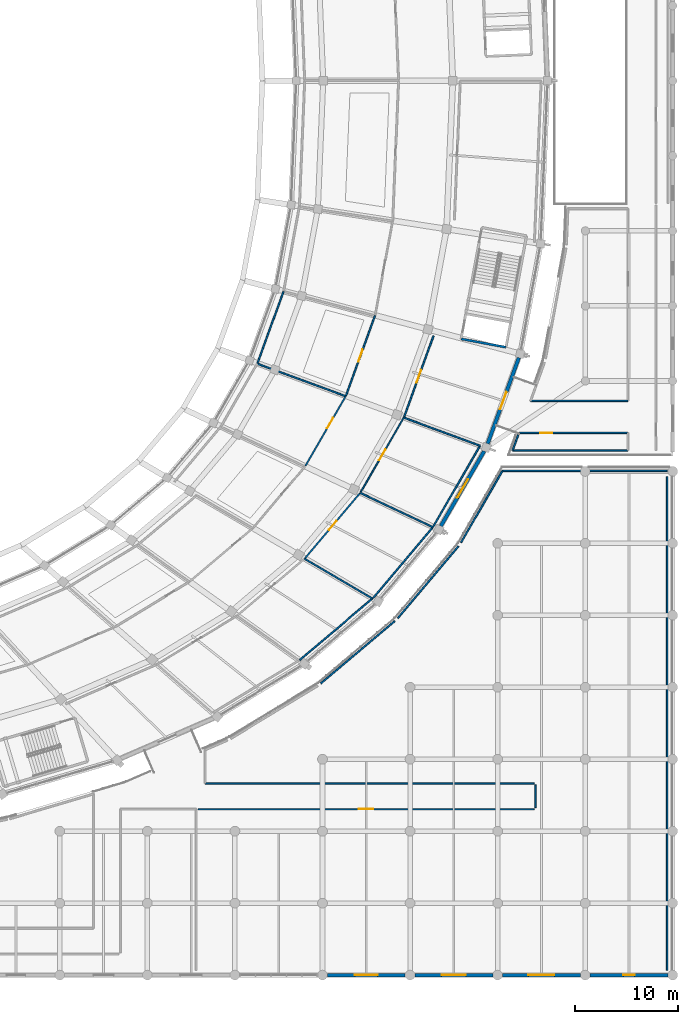
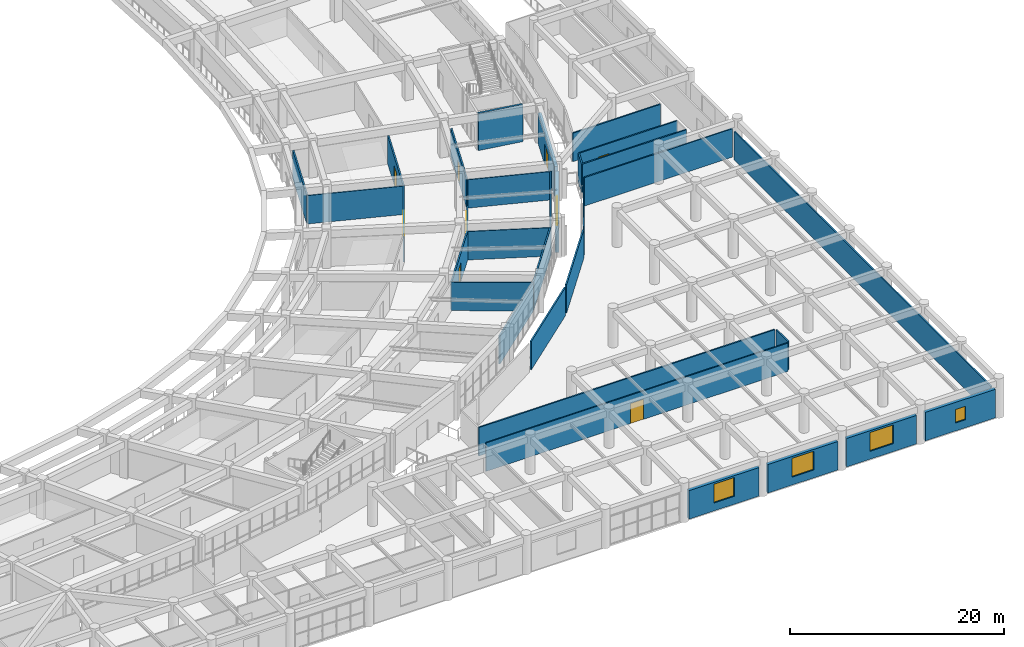
# One storey, part 102 of 145: 32 walls, 8 doors, 5 windows, 13 openings.
"""IFC4 building model written with IfcOpenShell, lengths in metres."""

from ifc_helpers import new_model, si_unit, direction, frame, frame_2d, origin, place, context, subcontext, project, spatial, rectangle, extrude, material, layer, layer_set, type_object, element, fill, save


model = new_model("IFC4")

# Units and contexts
model_context = context("Model", 3, precision=1e-05, world=origin(), true_north=direction((0.0, 1.0)))
body_context = subcontext(model_context, "Body", "Model", "MODEL_VIEW")
ifc_project = project(units=[si_unit("LENGTHUNIT", "METRE"), si_unit("AREAUNIT", "SQUARE_METRE"), si_unit("VOLUMEUNIT", "CUBIC_METRE"), si_unit("PLANEANGLEUNIT", "RADIAN"), si_unit("MASSUNIT", "GRAM", prefix="KILO")], contexts=[model_context])

# Site, building, storey
site_placement = place(None, origin())
site = spatial("IfcSite", under=ifc_project, at=site_placement, CompositionType="ELEMENT")
building_placement = place(site_placement, origin())
building = spatial("IfcBuilding", under=site, at=building_placement, Name="Mphavela Belvedere Stadium", CompositionType="ELEMENT")
storey_placement = place(building_placement, frame((0.0, 0.0, 10.199951171875)))
storey = spatial("IfcBuildingStorey", under=building, at=storey_placement, Name="L02", CompositionType="ELEMENT", Elevation=10.199951171875)

# Wall
ifc_material_1 = material(Name="Concrete C40/50", Category="concrete")
ifc_layer_1 = layer(ifc_material_1, 0.219970703125)
ifc_layer_set_1 = layer_set([ifc_layer_1], Name="Concrete C40/50")
wall_type_1 = type_object("IfcWallType", Name="WAL-CORE-SHEAR-220", PredefinedType="SHEAR", material=ifc_layer_set_1)
wall_1_placement = place(storey_placement, frame((209.424072265625, 61.88525390625, 0.0), z_axis=(0.0, 0.0, 1.0), x_axis=(0.983189729951, -0.18258684213, 0.0)))
element("IfcWall", 1, at=wall_1_placement, inside=storey, type_object=wall_type_1, Name="Core C12 shear wall L02 right", PredefinedType="SHEAR", context=body_context, shape_type="SweptSolid", body=[
    extrude(rectangle(XDim=4.409912109375, YDim=0.219970703125, at=frame_2d((2.205078125, 0.0))), origin(), (0.0, 0.0, 1.0), 4.25),
])

# Wall, opening, window
ifc_material_2 = material(Name="Honed ashlar limestone masonry", Category="masonry")
ifc_layer_2 = layer(ifc_material_2, 0.35009765625)
ifc_layer_set_2 = layer_set([ifc_layer_2], Name="Honed ashlar limestone masonry")
wall_type_2 = type_object("IfcWallType", Name="WAL-EXT-ASHLAR-350", PredefinedType="STANDARD", material=ifc_layer_set_2)
wall_2_placement = place(storey_placement, frame((207.441650390625, 43.68310546875, 0.0), z_axis=(0.0, 0.0, 1.0), x_axis=(0.500572209627, 0.865694786255, 0.0)))
wall_2 = element("IfcWall", 2, at=wall_2_placement, inside=storey, type_object=wall_type_2, Name="Classical ashlar facade wall L02-45", PredefinedType="STANDARD", context=body_context, shape_type="SweptSolid", body=[
    extrude(rectangle(XDim=8.421142578125, YDim=0.35009765625, at=frame_2d((4.21044921875, 0.0))), origin(), (0.0, 0.0, 1.0), 3.420166015625),
])
opening_1_placement = place(wall_2_placement, frame((3.17041015625, 0.0, 0.89990234375)))
opening_1 = element("IfcOpeningElement", 3, at=opening_1_placement, cuts=wall_2, Name="Opening W-030", PredefinedType="OPENING", context=body_context, shape_type="SweptSolid", body=[
    extrude(rectangle(XDim=2.080078125, YDim=1.949951171875, at=frame_2d((1.0400390625, 0.97509765625))), frame((0.0, 0.18505859375, 0.0), z_axis=(0.0, -1.0, 0.0), x_axis=(1.0, 0.0, 0.0)), (0.0, 0.0, 1.0), 0.3701171875),
])
ifc_material_3 = material(Name="Bronze-anodised thermally broken aluminium window", Category="aluminium")
window_type_1 = type_object("IfcWindowType", Name="WIN-EXT-30", PartitioningType="SINGLE_PANEL", PredefinedType="WINDOW", material=ifc_material_3)
window_1_placement = place(opening_1_placement, origin())
window_1 = element("IfcWindow", 4, at=window_1_placement, inside=storey, type_object=window_type_1, Name="Belvedere gallery window W-030", OverallHeight=1.949951171875, OverallWidth=2.080078125, PartitioningType="SINGLE_PANEL", PredefinedType="WINDOW", context=body_context, shape_type="SweptSolid", body=[
    extrude(rectangle(XDim=2.080078125, YDim=1.949951171875, at=frame_2d((1.0400390625, 0.97509765625))), frame((0.0, 0.030029296875, 0.0), z_axis=(0.0, -1.0, 0.0), x_axis=(1.0, 0.0, 0.0)), (0.0, 0.0, 1.0), 0.06005859375),
])
fill(opening_1, window_1)

# Wall, opening, door
wall_3_placement = place(storey_placement, frame((215.02880859375, 60.0634765625, 0.0), z_axis=(0.0, 0.0, 1.0), x_axis=(-0.34103858998, -0.940049296657, 0.0)))
wall_3 = element("IfcWall", 5, at=wall_3_placement, inside=storey, type_object=wall_type_2, Name="Classical link portal wall L02-46", PredefinedType="STANDARD", context=body_context, shape_type="SweptSolid", body=[
    extrude(rectangle(XDim=8.905517578125, YDim=0.35009765625, at=frame_2d((4.45263671875, 0.0))), origin(), (0.0, 0.0, 1.0), 3.420166015625),
])
opening_2_placement = place(wall_3_placement, frame((3.552734375, 0.0, 0.0)))
opening_2 = element("IfcOpeningElement", 6, at=opening_2_placement, cuts=wall_3, Name="Opening ID-9245", PredefinedType="OPENING", context=body_context, shape_type="SweptSolid", body=[
    extrude(rectangle(XDim=1.800048828125, YDim=2.39990234375, at=frame_2d((0.89990234375, 1.199951171875))), frame((0.0, 0.18505859375, 0.0), z_axis=(0.0, -1.0, 0.0), x_axis=(1.0, 0.0, 0.0)), (0.0, 0.0, 1.0), 0.3701171875),
])
ifc_material_4 = material(Name="Glazed bronze-anodised steel exit doorset", Category="steel")
door_type_1 = type_object("IfcDoorType", Name="DR-EXT-01", OperationType="NOTDEFINED", PredefinedType="DOOR", material=ifc_material_4)
door_1_placement = place(opening_2_placement, origin())
door_1 = element("IfcDoor", 7, at=door_1_placement, inside=storey, type_object=door_type_1, Name="Wing promenade link doorset L02-46", OperationType="DOUBLE_DOOR_SINGLE_SWING", OverallHeight=2.39990234375, OverallWidth=1.800048828125, PredefinedType="DOOR", context=body_context, shape_type="SweptSolid", body=[
    extrude(rectangle(XDim=1.800048828125, YDim=2.39990234375, at=frame_2d((0.89990234375, 1.199951171875))), frame((0.0, 0.02490234375, 0.0), z_axis=(0.0, -1.0, 0.0), x_axis=(1.0, 0.0, 0.0)), (0.0, 0.0, 1.0), 0.050048828125),
])
fill(opening_2, door_1)

# Wall, opening, window
wall_4_placement = place(storey_placement, frame((203.970947265625, 0.0, 0.0), z_axis=(0.0, 0.0, 1.0), x_axis=(-1.0, 0.0, 0.0)))
wall_4 = element("IfcWall", 8, at=wall_4_placement, inside=storey, type_object=wall_type_2, Name="South Axial Triumphal Peristyle Portico outer facade bay L02-24", PredefinedType="STANDARD", context=body_context, shape_type="SweptSolid", body=[
    extrude(rectangle(XDim=7.572021484375, YDim=0.35009765625, at=frame_2d((3.7861328125, 0.0))), origin(), (0.0, 0.0, 1.0), 3.260009765625),
])
opening_3_placement = place(wall_4_placement, frame((2.676025390625, 0.0, 0.89990234375)))
opening_3 = element("IfcOpeningElement", 9, at=opening_3_placement, cuts=wall_4, Name="Opening W-086", PredefinedType="OPENING", context=body_context, shape_type="SweptSolid", body=[
    extrude(rectangle(XDim=2.219970703125, YDim=2.14990234375, at=frame_2d((1.10986328125, 1.074951171875))), frame((0.0, 0.18505859375, 0.0), z_axis=(0.0, -1.0, 0.0), x_axis=(1.0, 0.0, 0.0)), (0.0, 0.0, 1.0), 0.3701171875),
])
ifc_material_5 = material(Name="Bronze-anodised thermally broken aluminium window", Category="aluminium")
window_type_2 = type_object("IfcWindowType", Name="WIN-EXT-42", PartitioningType="SINGLE_PANEL", PredefinedType="WINDOW", material=ifc_material_5)
window_2_placement = place(opening_3_placement, origin())
window_2 = element("IfcWindow", 10, at=window_2_placement, inside=storey, type_object=window_type_2, Name="South Axial Triumphal Peristyle Portico classical window W-086", OverallHeight=2.14990234375, OverallWidth=2.219970703125, PartitioningType="SINGLE_PANEL", PredefinedType="WINDOW", context=body_context, shape_type="SweptSolid", body=[
    extrude(rectangle(XDim=2.219970703125, YDim=2.14990234375, at=frame_2d((1.10986328125, 1.074951171875))), frame((0.0, 0.030029296875, 0.0), z_axis=(0.0, -1.0, 0.0), x_axis=(1.0, 0.0, 0.0)), (0.0, 0.0, 1.0), 0.06005859375),
])
fill(opening_3, window_2)

wall_5_placement = place(storey_placement, frame((212.489990234375, 0.0, 0.0), z_axis=(0.0, 0.0, 1.0), x_axis=(-1.0, 0.0, 0.0)))
wall_5 = element("IfcWall", 11, at=wall_5_placement, inside=storey, type_object=wall_type_2, Name="South Axial Triumphal Peristyle Portico outer facade bay L02-25", PredefinedType="STANDARD", context=body_context, shape_type="SweptSolid", body=[
    extrude(rectangle(XDim=7.572998046875, YDim=0.35009765625, at=frame_2d((3.78662109375, 0.0))), origin(), (0.0, 0.0, 1.0), 3.260009765625),
])
opening_4_placement = place(wall_5_placement, frame((2.6064453125, 0.0, 0.89990234375)))
opening_4 = element("IfcOpeningElement", 12, at=opening_4_placement, cuts=wall_5, Name="Opening W-087", PredefinedType="OPENING", context=body_context, shape_type="SweptSolid", body=[
    extrude(rectangle(XDim=2.360107421875, YDim=2.14990234375, at=frame_2d((1.18017578125, 1.074951171875))), frame((0.0, 0.18505859375, 0.0), z_axis=(0.0, -1.0, 0.0), x_axis=(1.0, 0.0, 0.0)), (0.0, 0.0, 1.0), 0.3701171875),
])
ifc_material_6 = material(Name="Bronze-anodised thermally broken aluminium window", Category="aluminium")
window_type_3 = type_object("IfcWindowType", Name="WIN-EXT-43", PartitioningType="SINGLE_PANEL", PredefinedType="WINDOW", material=ifc_material_6)
window_3_placement = place(opening_4_placement, origin())
window_3 = element("IfcWindow", 13, at=window_3_placement, inside=storey, type_object=window_type_3, Name="South Axial Triumphal Peristyle Portico classical window W-087", OverallHeight=2.14990234375, OverallWidth=2.360107421875, PartitioningType="SINGLE_PANEL", PredefinedType="WINDOW", context=body_context, shape_type="SweptSolid", body=[
    extrude(rectangle(XDim=2.360107421875, YDim=2.14990234375, at=frame_2d((1.18017578125, 1.074951171875))), frame((0.0, 0.030029296875, 0.0), z_axis=(0.0, -1.0, 0.0), x_axis=(1.0, 0.0, 0.0)), (0.0, 0.0, 1.0), 0.06005859375),
])
fill(opening_4, window_3)

wall_6_placement = place(storey_placement, frame((221.008056640625, 0.0, 0.0), z_axis=(0.0, 0.0, 1.0), x_axis=(-1.0, 0.0, 0.0)))
wall_6 = element("IfcWall", 14, at=wall_6_placement, inside=storey, type_object=wall_type_2, Name="South Axial Triumphal Peristyle Portico outer facade bay L02-26", PredefinedType="STANDARD", context=body_context, shape_type="SweptSolid", body=[
    extrude(rectangle(XDim=7.572021484375, YDim=0.35009765625, at=frame_2d((3.7861328125, 0.0))), origin(), (0.0, 0.0, 1.0), 3.260009765625),
])
opening_5_placement = place(wall_6_placement, frame((2.52587890625, 0.0, 0.89990234375)))
opening_5 = element("IfcOpeningElement", 15, at=opening_5_placement, cuts=wall_6, Name="Opening W-088", PredefinedType="OPENING", context=body_context, shape_type="SweptSolid", body=[
    extrude(rectangle(XDim=2.52001953125, YDim=2.14990234375, at=frame_2d((1.260009765625, 1.074951171875))), frame((0.0, 0.18505859375, 0.0), z_axis=(0.0, -1.0, 0.0), x_axis=(1.0, 0.0, 0.0)), (0.0, 0.0, 1.0), 0.3701171875),
])
ifc_material_7 = material(Name="Bronze-anodised thermally broken aluminium window", Category="aluminium")
window_type_4 = type_object("IfcWindowType", Name="WIN-EXT-44", PartitioningType="SINGLE_PANEL", PredefinedType="WINDOW", material=ifc_material_7)
window_4_placement = place(opening_5_placement, origin())
window_4 = element("IfcWindow", 16, at=window_4_placement, inside=storey, type_object=window_type_4, Name="South Axial Triumphal Peristyle Portico classical window W-088", OverallHeight=2.14990234375, OverallWidth=2.52001953125, PartitioningType="SINGLE_PANEL", PredefinedType="WINDOW", context=body_context, shape_type="SweptSolid", body=[
    extrude(rectangle(XDim=2.52001953125, YDim=2.14990234375, at=frame_2d((1.260009765625, 1.074951171875))), frame((0.0, 0.030029296875, 0.0), z_axis=(0.0, -1.0, 0.0), x_axis=(1.0, 0.0, 0.0)), (0.0, 0.0, 1.0), 0.06005859375),
])
fill(opening_5, window_4)

wall_7_placement = place(storey_placement, frame((229.527099609375, 0.0, 0.0), z_axis=(0.0, 0.0, 1.0), x_axis=(-1.0, 0.0, 0.0)))
wall_7 = element("IfcWall", 17, at=wall_7_placement, inside=storey, type_object=wall_type_2, Name="South Axial Triumphal Peristyle Portico outer facade bay L02-27", PredefinedType="STANDARD", context=body_context, shape_type="SweptSolid", body=[
    extrude(rectangle(XDim=7.572998046875, YDim=0.35009765625, at=frame_2d((3.78662109375, 0.0))), origin(), (0.0, 0.0, 1.0), 3.260009765625),
])
opening_6_placement = place(wall_7_placement, frame((3.236572265625, 0.0, 0.89990234375)))
opening_6 = element("IfcOpeningElement", 18, at=opening_6_placement, cuts=wall_7, Name="Opening W-089", PredefinedType="OPENING", context=body_context, shape_type="SweptSolid", body=[
    extrude(rectangle(XDim=1.10009765625, YDim=1.550048828125, at=frame_2d((0.550048828125, 0.77490234375))), frame((0.0, 0.18505859375, 0.0), z_axis=(0.0, -1.0, 0.0), x_axis=(1.0, 0.0, 0.0)), (0.0, 0.0, 1.0), 0.3701171875),
])
ifc_material_8 = material(Name="Bronze-anodised thermally broken aluminium window", Category="aluminium")
window_type_5 = type_object("IfcWindowType", Name="WIN-EXT-01", PartitioningType="SINGLE_PANEL", PredefinedType="WINDOW", material=ifc_material_8)
window_5_placement = place(opening_6_placement, origin())
window_5 = element("IfcWindow", 19, at=window_5_placement, inside=storey, type_object=window_type_5, Name="South Axial Triumphal Peristyle Portico classical window W-089", OverallHeight=1.550048828125, OverallWidth=1.10009765625, PartitioningType="SINGLE_PANEL", PredefinedType="WINDOW", context=body_context, shape_type="SweptSolid", body=[
    extrude(rectangle(XDim=1.10009765625, YDim=1.550048828125, at=frame_2d((0.550048828125, 0.77490234375))), frame((0.0, 0.030029296875, 0.0), z_axis=(0.0, -1.0, 0.0), x_axis=(1.0, 0.0, 0.0)), (0.0, 0.0, 1.0), 0.06005859375),
])
fill(opening_6, window_5)

# Wall, opening, door
ifc_material_9 = material(Name="Moisture-resistant sanitary partition assembly")
ifc_layer_3 = layer(ifc_material_9, 0.125)
ifc_layer_set_3 = layer_set([ifc_layer_3], Name="Moisture-resistant sanitary partition assembly")
wall_type_3 = type_object("IfcWallType", Name="WAL-PART-125", PredefinedType="PARTITIONING", material=ifc_layer_set_3)
wall_8_placement = place(storey_placement, frame((199.64111328125, 46.98095703125, 0.0), z_axis=(0.0, 0.0, 1.0), x_axis=(0.500559280672, 0.865702262059, 0.0)))
wall_8 = element("IfcWall", 20, at=wall_8_placement, inside=storey, type_object=wall_type_3, Name="Room L02-152 corridor partition", PredefinedType="PARTITIONING", context=body_context, shape_type="SweptSolid", body=[
    extrude(rectangle(XDim=8.37451171875, YDim=0.125, at=frame_2d((4.187255859375, 0.0))), origin(), (0.0, 0.0, 1.0), 3.25),
])
opening_7_placement = place(wall_8_placement, frame((3.577392578125, 0.0, 0.0)))
opening_7 = element("IfcOpeningElement", 21, at=opening_7_placement, cuts=wall_8, Name="Opening ID-237", PredefinedType="OPENING", context=body_context, shape_type="SweptSolid", body=[
    extrude(rectangle(XDim=1.219970703125, YDim=2.199951171875, at=frame_2d((0.60986328125, 1.10009765625))), frame((0.0, 0.072509765625, 0.0), z_axis=(0.0, -1.0, 0.0), x_axis=(1.0, 0.0, 0.0)), (0.0, 0.0, 1.0), 0.14501953125),
])
ifc_material_10 = material(Name="Hardwood acoustic timber doorset", Category="wood")
door_type_2 = type_object("IfcDoorType", Name="DR-INT-21", OperationType="NOTDEFINED", PredefinedType="DOOR", material=ifc_material_10)
door_2_placement = place(opening_7_placement, origin())
door_2 = element("IfcDoor", 22, at=door_2_placement, inside=storey, type_object=door_type_2, Name="Room L02-152 entrance door ID-237", OperationType="SINGLE_SWING_LEFT", OverallHeight=2.199951171875, OverallWidth=1.219970703125, PredefinedType="DOOR", context=body_context, shape_type="SweptSolid", body=[
    extrude(rectangle(XDim=1.219970703125, YDim=2.199951171875, at=frame_2d((0.60986328125, 1.10009765625))), frame((0.0, 0.02490234375, 0.0), z_axis=(0.0, -1.0, 0.0), x_axis=(1.0, 0.0, 0.0)), (0.0, 0.0, 1.0), 0.050048828125),
])
fill(opening_7, door_2)

wall_9_placement = place(storey_placement, frame((183.830078125, 16.139892578125, 0.0), z_axis=(0.0, 0.0, 1.0), x_axis=(1.0, 0.0, 0.0)))
wall_9 = element("IfcWall", 23, at=wall_9_placement, inside=storey, type_object=wall_type_3, Name="Room L02-166 corridor partition", PredefinedType="PARTITIONING", context=body_context, shape_type="SweptSolid", body=[
    extrude(rectangle(XDim=32.669921875, YDim=0.125, at=frame_2d((16.3349609375, 0.0))), origin(), (0.0, 0.0, 1.0), 3.25),
])
opening_8_placement = place(wall_9_placement, frame((15.635009765625, 0.0, 0.0)))
opening_8 = element("IfcOpeningElement", 24, at=opening_8_placement, cuts=wall_9, Name="Opening ID-396", PredefinedType="OPENING", context=body_context, shape_type="SweptSolid", body=[
    extrude(rectangle(XDim=1.39990234375, YDim=2.300048828125, at=frame_2d((0.699951171875, 1.14990234375))), frame((0.0, 0.072509765625, 0.0), z_axis=(0.0, -1.0, 0.0), x_axis=(1.0, 0.0, 0.0)), (0.0, 0.0, 1.0), 0.14501953125),
])
ifc_material_11 = material(Name="Hardwood acoustic timber doorset", Category="wood")
door_type_3 = type_object("IfcDoorType", Name="DR-INT-36", OperationType="NOTDEFINED", PredefinedType="DOOR", material=ifc_material_11)
door_3_placement = place(opening_8_placement, origin())
door_3 = element("IfcDoor", 25, at=door_3_placement, inside=storey, type_object=door_type_3, Name="Room L02-166 entrance door ID-396", OperationType="SINGLE_SWING_RIGHT", OverallHeight=2.300048828125, OverallWidth=1.39990234375, PredefinedType="DOOR", context=body_context, shape_type="SweptSolid", body=[
    extrude(rectangle(XDim=1.39990234375, YDim=2.300048828125, at=frame_2d((0.699951171875, 1.14990234375))), frame((0.0, 0.02490234375, 0.0), z_axis=(0.0, -1.0, 0.0), x_axis=(1.0, 0.0, 0.0)), (0.0, 0.0, 1.0), 0.050048828125),
])
fill(opening_8, door_3)

ifc_material_12 = material(Name="Acoustic gypsum stud partition assembly")
ifc_layer_4 = layer(ifc_material_12, 0.14990234375)
ifc_layer_set_4 = layer_set([ifc_layer_4], Name="Acoustic gypsum stud partition assembly")
wall_type_4 = type_object("IfcWallType", Name="WAL-PART-150", PredefinedType="PARTITIONING", material=ifc_layer_set_4)
wall_10_placement = place(storey_placement, frame((194.231689453125, 40.562255859375, 0.0), z_axis=(0.0, 0.0, 1.0), x_axis=(0.64516519871, 0.76404310505, 0.0)))
wall_10 = element("IfcWall", 26, at=wall_10_placement, inside=storey, type_object=wall_type_4, Name="Room L02-149 corridor partition", PredefinedType="PARTITIONING", context=body_context, shape_type="SweptSolid", body=[
    extrude(rectangle(XDim=8.3134765625, YDim=0.14990234375, at=frame_2d((4.15673828125, 0.0))), origin(), (0.0, 0.0, 1.0), 3.25),
])
opening_9_placement = place(wall_10_placement, frame((3.586669921875, 0.0, 0.0)))
opening_9 = element("IfcOpeningElement", 27, at=opening_9_placement, cuts=wall_10, Name="Opening ID-235", PredefinedType="OPENING", context=body_context, shape_type="SweptSolid", body=[
    extrude(rectangle(XDim=1.139892578125, YDim=2.199951171875, at=frame_2d((0.56982421875, 1.10009765625))), frame((0.0, 0.0849609375, 0.0), z_axis=(0.0, -1.0, 0.0), x_axis=(1.0, 0.0, 0.0)), (0.0, 0.0, 1.0), 0.169921875),
])
ifc_material_13 = material(Name="Hardwood acoustic timber doorset", Category="wood")
door_type_4 = type_object("IfcDoorType", Name="DR-INT-19", OperationType="NOTDEFINED", PredefinedType="DOOR", material=ifc_material_13)
door_4_placement = place(opening_9_placement, origin())
door_4 = element("IfcDoor", 28, at=door_4_placement, inside=storey, type_object=door_type_4, Name="Room L02-149 entrance door ID-235", OperationType="SINGLE_SWING_LEFT", OverallHeight=2.199951171875, OverallWidth=1.139892578125, PredefinedType="DOOR", context=body_context, shape_type="SweptSolid", body=[
    extrude(rectangle(XDim=1.139892578125, YDim=2.199951171875, at=frame_2d((0.56982421875, 1.10009765625))), frame((0.0, 0.02490234375, 0.0), z_axis=(0.0, -1.0, 0.0), x_axis=(1.0, 0.0, 0.0)), (0.0, 0.0, 1.0), 0.050048828125),
])
fill(opening_9, door_4)

wall_11_placement = place(storey_placement, frame((198.18310546875, 56.312255859375, 0.0), z_axis=(0.0, 0.0, 1.0), x_axis=(-0.500584301803, -0.865687794063, 0.0)))
wall_11 = element("IfcWall", 29, at=wall_11_placement, inside=storey, type_object=wall_type_4, Name="Room L02-151 corridor partition", PredefinedType="PARTITIONING", context=body_context, shape_type="SweptSolid", body=[
    extrude(rectangle(XDim=7.8369140625, YDim=0.14990234375, at=frame_2d((3.91845703125, 0.0))), origin(), (0.0, 0.0, 1.0), 3.25),
])
opening_10_placement = place(wall_11_placement, frame((2.426025390625, 0.0, 0.0)))
opening_10 = element("IfcOpeningElement", 30, at=opening_10_placement, cuts=wall_11, Name="Opening ID-236", PredefinedType="OPENING", context=body_context, shape_type="SweptSolid", body=[
    extrude(rectangle(XDim=1.179931640625, YDim=2.199951171875, at=frame_2d((0.58984375, 1.10009765625))), frame((0.0, 0.0849609375, 0.0), z_axis=(0.0, -1.0, 0.0), x_axis=(1.0, 0.0, 0.0)), (0.0, 0.0, 1.0), 0.169921875),
])
ifc_material_14 = material(Name="Hardwood acoustic timber doorset", Category="wood")
door_type_5 = type_object("IfcDoorType", Name="DR-INT-20", OperationType="NOTDEFINED", PredefinedType="DOOR", material=ifc_material_14)
door_5_placement = place(opening_10_placement, origin())
door_5 = element("IfcDoor", 31, at=door_5_placement, inside=storey, type_object=door_type_5, Name="Room L02-151 entrance door ID-236", OperationType="SINGLE_SWING_RIGHT", OverallHeight=2.199951171875, OverallWidth=1.179931640625, PredefinedType="DOOR", context=body_context, shape_type="SweptSolid", body=[
    extrude(rectangle(XDim=1.179931640625, YDim=2.199951171875, at=frame_2d((0.58984375, 1.10009765625))), frame((0.0, 0.02490234375, 0.0), z_axis=(0.0, -1.0, 0.0), x_axis=(1.0, 0.0, 0.0)), (0.0, 0.0, 1.0), 0.050048828125),
])
fill(opening_10, door_5)

wall_12_placement = place(storey_placement, frame((201.032470703125, 64.143798828125, 0.0), z_axis=(0.0, 0.0, 1.0), x_axis=(-0.341044733968, -0.940047067669, 0.0)))
wall_12 = element("IfcWall", 32, at=wall_12_placement, inside=storey, type_object=wall_type_4, Name="Room L02-154 corridor partition", PredefinedType="PARTITIONING", context=body_context, shape_type="SweptSolid", body=[
    extrude(rectangle(XDim=8.25390625, YDim=0.14990234375, at=frame_2d((4.126953125, 0.0))), origin(), (0.0, 0.0, 1.0), 3.25),
])
opening_11_placement = place(wall_12_placement, frame((3.496826171875, 0.0, 0.0)))
opening_11 = element("IfcOpeningElement", 33, at=opening_11_placement, cuts=wall_12, Name="Opening ID-238", PredefinedType="OPENING", context=body_context, shape_type="SweptSolid", body=[
    extrude(rectangle(XDim=1.260009765625, YDim=2.199951171875, at=frame_2d((0.6298828125, 1.10009765625))), frame((0.0, 0.0849609375, 0.0), z_axis=(0.0, -1.0, 0.0), x_axis=(1.0, 0.0, 0.0)), (0.0, 0.0, 1.0), 0.169921875),
])
ifc_material_15 = material(Name="Hardwood acoustic timber doorset", Category="wood")
door_type_6 = type_object("IfcDoorType", Name="DR-INT-22", OperationType="NOTDEFINED", PredefinedType="DOOR", material=ifc_material_15)
door_6_placement = place(opening_11_placement, origin())
door_6 = element("IfcDoor", 34, at=door_6_placement, inside=storey, type_object=door_type_6, Name="Room L02-154 entrance door ID-238", OperationType="SINGLE_SWING_RIGHT", OverallHeight=2.199951171875, OverallWidth=1.260009765625, PredefinedType="DOOR", context=body_context, shape_type="SweptSolid", body=[
    extrude(rectangle(XDim=1.260009765625, YDim=2.199951171875, at=frame_2d((0.6298828125, 1.10009765625))), frame((0.0, 0.02490234375, 0.0), z_axis=(0.0, -1.0, 0.0), x_axis=(1.0, 0.0, 0.0)), (0.0, 0.0, 1.0), 0.050048828125),
])
fill(opening_11, door_6)

wall_13_placement = place(storey_placement, frame((203.866455078125, 54.3037109375, 0.0), z_axis=(0.0, 0.0, 1.0), x_axis=(0.341044550343, 0.940047134287, 0.0)))
wall_13 = element("IfcWall", 35, at=wall_13_placement, inside=storey, type_object=wall_type_4, Name="Room L02-155 corridor partition", PredefinedType="PARTITIONING", context=body_context, shape_type="SweptSolid", body=[
    extrude(rectangle(XDim=8.39208984375, YDim=0.14990234375, at=frame_2d((4.196044921875, 0.0))), origin(), (0.0, 0.0, 1.0), 3.25),
])
opening_12_placement = place(wall_13_placement, frame((3.535888671875, 0.0, 0.0)))
opening_12 = element("IfcOpeningElement", 36, at=opening_12_placement, cuts=wall_13, Name="Opening ID-239", PredefinedType="OPENING", context=body_context, shape_type="SweptSolid", body=[
    extrude(rectangle(XDim=1.320068359375, YDim=2.199951171875, at=frame_2d((0.66015625, 1.10009765625))), frame((0.0, 0.0849609375, 0.0), z_axis=(0.0, -1.0, 0.0), x_axis=(1.0, 0.0, 0.0)), (0.0, 0.0, 1.0), 0.169921875),
])
ifc_material_16 = material(Name="Hardwood acoustic timber doorset", Category="wood")
door_type_7 = type_object("IfcDoorType", Name="DR-INT-23", OperationType="NOTDEFINED", PredefinedType="DOOR", material=ifc_material_16)
door_7_placement = place(opening_12_placement, origin())
door_7 = element("IfcDoor", 37, at=door_7_placement, inside=storey, type_object=door_type_7, Name="Room L02-155 entrance door ID-239", OperationType="SINGLE_SWING_LEFT", OverallHeight=2.199951171875, OverallWidth=1.320068359375, PredefinedType="DOOR", context=body_context, shape_type="SweptSolid", body=[
    extrude(rectangle(XDim=1.320068359375, YDim=2.199951171875, at=frame_2d((0.66015625, 1.10009765625))), frame((0.0, 0.02490234375, 0.0), z_axis=(0.0, -1.0, 0.0), x_axis=(1.0, 0.0, 0.0)), (0.0, 0.0, 1.0), 0.050048828125),
])
fill(opening_12, door_7)

wall_14_placement = place(storey_placement, frame((215.031494140625, 52.739990234375, 0.0), z_axis=(0.0, 0.0, 1.0), x_axis=(1.0, 0.0, 0.0)))
wall_14 = element("IfcWall", 38, at=wall_14_placement, inside=storey, type_object=wall_type_4, Name="Room L02-197 corridor partition", PredefinedType="PARTITIONING", context=body_context, shape_type="SweptSolid", body=[
    extrude(rectangle(XDim=10.6083984375, YDim=0.14990234375, at=frame_2d((5.30419921875, 0.0))), origin(), (0.0, 0.0, 1.0), 3.25),
])
opening_13_placement = place(wall_14_placement, frame((2.085693359375, 0.0, 0.0)))
opening_13 = element("IfcOpeningElement", 39, at=opening_13_placement, cuts=wall_14, Name="Opening ID-547", PredefinedType="OPENING", context=body_context, shape_type="SweptSolid", body=[
    extrude(rectangle(XDim=1.139892578125, YDim=2.10009765625, at=frame_2d((0.56982421875, 1.050048828125))), frame((0.0, 0.0849609375, 0.0), z_axis=(0.0, -1.0, 0.0), x_axis=(1.0, 0.0, 0.0)), (0.0, 0.0, 1.0), 0.169921875),
])
ifc_material_17 = material(Name="Hardwood acoustic timber doorset", Category="wood")
door_type_8 = type_object("IfcDoorType", Name="DR-INT-07", OperationType="NOTDEFINED", PredefinedType="DOOR", material=ifc_material_17)
door_8_placement = place(opening_13_placement, origin())
door_8 = element("IfcDoor", 40, at=door_8_placement, inside=storey, type_object=door_type_8, Name="Room L02-197 entrance door ID-547", OperationType="SINGLE_SWING_LEFT", OverallHeight=2.10009765625, OverallWidth=1.139892578125, PredefinedType="DOOR", context=body_context, shape_type="SweptSolid", body=[
    extrude(rectangle(XDim=1.139892578125, YDim=2.10009765625, at=frame_2d((0.56982421875, 1.050048828125))), frame((0.0, 0.02490234375, 0.0), z_axis=(0.0, -1.0, 0.0), x_axis=(1.0, 0.0, 0.0)), (0.0, 0.0, 1.0), 0.050048828125),
])
fill(opening_13, door_8)

# Walls
wall_15_placement = place(storey_placement, frame((194.1748046875, 40.5029296875, 0.0), z_axis=(0.0, 0.0, 1.0), x_axis=(0.862503200943, -0.506051606422, 0.0)))
element("IfcWall", 41, at=wall_15_placement, inside=storey, type_object=wall_type_4, Name="Room divider partition L02-0417", PredefinedType="PARTITIONING", context=body_context, shape_type="SweptSolid", body=[
    extrude(rectangle(XDim=7.65869140625, YDim=0.14990234375, at=frame_2d((3.829345703125, 0.0))), origin(), (0.0, 0.0, 1.0), 3.25),
])
wall_16_placement = place(storey_placement, frame((200.780517578125, 36.627197265625, 0.0), z_axis=(0.0, 0.0, 1.0), x_axis=(-0.764252893528, -0.644916672706, 0.0)))
element("IfcWall", 42, at=wall_16_placement, inside=storey, type_object=wall_type_4, Name="Room divider partition L02-0418", PredefinedType="PARTITIONING", context=body_context, shape_type="SweptSolid", body=[
    extrude(rectangle(XDim=9.25732421875, YDim=0.14990234375, at=frame_2d((4.628662109375, 0.0))), origin(), (0.0, 0.0, 1.0), 3.25),
])
wall_17_placement = place(storey_placement, frame((199.59521484375, 46.9140625, 0.0), z_axis=(0.0, 0.0, 1.0), x_axis=(0.903857436248, -0.427833770218, 0.0)))
element("IfcWall", 43, at=wall_17_placement, inside=storey, type_object=wall_type_4, Name="Room divider partition L02-0421", PredefinedType="PARTITIONING", context=body_context, shape_type="SweptSolid", body=[
    extrude(rectangle(XDim=7.81201171875, YDim=0.14990234375, at=frame_2d((3.906005859375, 0.0))), origin(), (0.0, 0.0, 1.0), 3.25),
])
wall_18_placement = place(storey_placement, frame((206.65625, 43.57177734375, 0.0), z_axis=(0.0, 0.0, 1.0), x_axis=(-0.645166061073, -0.764042376861, 0.0)))
element("IfcWall", 44, at=wall_18_placement, inside=storey, type_object=wall_type_4, Name="Room divider partition L02-0422", PredefinedType="PARTITIONING", context=body_context, shape_type="SweptSolid", body=[
    extrude(rectangle(XDim=9.013916015625, YDim=0.14990234375, at=frame_2d((4.5068359375, 0.0))), origin(), (0.0, 0.0, 1.0), 3.25),
])
wall_19_placement = place(storey_placement, frame((189.57861328125, 59.482177734375, 0.0), z_axis=(0.0, 0.0, 1.0), x_axis=(0.938348571445, -0.345690553049, 0.0)))
element("IfcWall", 45, at=wall_19_placement, inside=storey, type_object=wall_type_4, Name="Room divider partition L02-0424", PredefinedType="PARTITIONING", context=body_context, shape_type="SweptSolid", body=[
    extrude(rectangle(XDim=9.169921875, YDim=0.14990234375, at=frame_2d((4.5849609375, 0.0))), origin(), (0.0, 0.0, 1.0), 3.25),
])
wall_20_placement = place(storey_placement, frame((203.8330078125, 54.230712890625, 0.0), z_axis=(0.0, 0.0, 1.0), x_axis=(0.938352081903, -0.34568102405, 0.0)))
element("IfcWall", 46, at=wall_20_placement, inside=storey, type_object=wall_type_4, Name="Room divider partition L02-0425", PredefinedType="PARTITIONING", context=body_context, shape_type="SweptSolid", body=[
    extrude(rectangle(XDim=7.90380859375, YDim=0.14990234375, at=frame_2d((3.951904296875, 0.0))), origin(), (0.0, 0.0, 1.0), 3.25),
])
wall_21_placement = place(storey_placement, frame((211.24951171875, 51.49853515625, 0.0), z_axis=(0.0, 0.0, 1.0), x_axis=(-0.500574107164, -0.865693689036, 0.0)))
element("IfcWall", 47, at=wall_21_placement, inside=storey, type_object=wall_type_4, Name="Room divider partition L02-0426", PredefinedType="PARTITIONING", context=body_context, shape_type="SweptSolid", body=[
    extrude(rectangle(XDim=9.080322265625, YDim=0.14990234375, at=frame_2d((4.5400390625, 0.0))), origin(), (0.0, 0.0, 1.0), 3.25),
])
wall_22_placement = place(storey_placement, frame((189.612060546875, 59.55517578125, 0.0), z_axis=(0.0, 0.0, 1.0), x_axis=(0.34104817416, 0.940045819576, 0.0)))
element("IfcWall", 48, at=wall_22_placement, inside=storey, type_object=wall_type_4, Name="Room divider partition L02-0427", PredefinedType="PARTITIONING", context=body_context, shape_type="SweptSolid", body=[
    extrude(rectangle(XDim=7.391845703125, YDim=0.14990234375, at=frame_2d((3.69580078125, 0.0))), origin(), (0.0, 0.0, 1.0), 3.25),
])
wall_23_placement = place(storey_placement, frame((216.659912109375, 16.300048828125, 0.0), z_axis=(0.0, 0.0, 1.0), x_axis=(-0.000330578494, 0.999999945359, 0.0)))
element("IfcWall", 49, at=wall_23_placement, inside=storey, type_object=wall_type_4, Name="Room divider partition L02-0764", PredefinedType="PARTITIONING", context=body_context, shape_type="SweptSolid", body=[
    extrude(rectangle(XDim=2.215576171875, YDim=0.14990234375, at=frame_2d((1.10791015625, 0.0))), origin(), (0.0, 0.0, 1.0), 3.25),
])
wall_24_placement = place(storey_placement, frame((216.515625, 18.6591796875, 0.0), z_axis=(0.0, 0.0, 1.0), x_axis=(-0.999999999738, 2.2884168e-05, 0.0)))
element("IfcWall", 50, at=wall_24_placement, inside=storey, type_object=wall_type_4, Name="Room divider partition L02-0765", PredefinedType="PARTITIONING", context=body_context, shape_type="SweptSolid", body=[
    extrude(rectangle(XDim=32.005615234375, YDim=0.14990234375, at=frame_2d((16.0029296875, 0.0))), origin(), (0.0, 0.0, 1.0), 3.25),
])
wall_25_placement = place(storey_placement, frame((195.767822265625, 28.374755859375, 0.0), z_axis=(0.0, 0.0, 1.0), x_axis=(0.76426547638, 0.644901761212, 0.0)))
element("IfcWall", 51, at=wall_25_placement, inside=storey, type_object=wall_type_4, Name="Room divider partition L02-0769", PredefinedType="PARTITIONING", context=body_context, shape_type="SweptSolid", body=[
    extrude(rectangle(XDim=9.3984375, YDim=0.14990234375, at=frame_2d((4.69921875, 0.0))), origin(), (0.0, 0.0, 1.0), 3.25),
])
wall_26_placement = place(storey_placement, frame((203.248291015625, 34.733642578125, 0.0), z_axis=(0.0, 0.0, 1.0), x_axis=(0.645180125691, 0.764030500316, 0.0)))
element("IfcWall", 52, at=wall_26_placement, inside=storey, type_object=wall_type_4, Name="Room divider partition L02-0770", PredefinedType="PARTITIONING", context=body_context, shape_type="SweptSolid", body=[
    extrude(rectangle(XDim=9.1513671875, YDim=0.14990234375, at=frame_2d((4.57568359375, 0.0))), origin(), (0.0, 0.0, 1.0), 3.25),
])
wall_27_placement = place(storey_placement, frame((209.40673828125, 42.087158203125, 0.0), z_axis=(0.0, 0.0, 1.0), x_axis=(0.500545605998, 0.865710168773, 0.0)))
element("IfcWall", 53, at=wall_27_placement, inside=storey, type_object=wall_type_4, Name="Room divider partition L02-0771", PredefinedType="PARTITIONING", context=body_context, shape_type="SweptSolid", body=[
    extrude(rectangle(XDim=8.04296875, YDim=0.14990234375, at=frame_2d((4.021484375, 0.0))), origin(), (0.0, 0.0, 1.0), 3.25),
])
wall_28_placement = place(storey_placement, frame((213.4326171875, 49.050048828125, 0.0), z_axis=(0.0, 0.0, 1.0), x_axis=(1.0, 0.0, 0.0)))
element("IfcWall", 54, at=wall_28_placement, inside=storey, type_object=wall_type_4, Name="Room divider partition L02-0772", PredefinedType="PARTITIONING", context=body_context, shape_type="SweptSolid", body=[
    extrude(rectangle(XDim=16.017333984375, YDim=0.14990234375, at=frame_2d((8.0087890625, 0.0))), origin(), (0.0, 0.0, 1.0), 3.25),
])
wall_29_placement = place(storey_placement, frame((229.449951171875, 48.5, 0.0), z_axis=(0.0, 0.0, 1.0), x_axis=(0.0, -1.0, 0.0)))
element("IfcWall", 55, at=wall_29_placement, inside=storey, type_object=wall_type_4, Name="Room divider partition L02-0773", PredefinedType="PARTITIONING", context=body_context, shape_type="SweptSolid", body=[
    extrude(rectangle(XDim=48.050048828125, YDim=0.14990234375, at=frame_2d((24.02490234375, 0.0))), origin(), (0.0, 0.0, 1.0), 3.25),
])
wall_30_placement = place(storey_placement, frame((225.639892578125, 51.050048828125, 0.0), z_axis=(0.0, 0.0, 1.0), x_axis=(-1.0, 0.0, 0.0)))
element("IfcWall", 56, at=wall_30_placement, inside=storey, type_object=wall_type_4, Name="Room divider partition L02-1251", PredefinedType="PARTITIONING", context=body_context, shape_type="SweptSolid", body=[
    extrude(rectangle(XDim=11.221435546875, YDim=0.14990234375, at=frame_2d((5.61083984375, 0.0))), origin(), (0.0, 0.0, 1.0), 3.25),
])
wall_31_placement = place(storey_placement, frame((214.41845703125, 51.050048828125, 0.0), z_axis=(0.0, 0.0, 1.0), x_axis=(0.341012375502, 0.940058806541, 0.0)))
element("IfcWall", 57, at=wall_31_placement, inside=storey, type_object=wall_type_4, Name="Room divider partition L02-1252", PredefinedType="PARTITIONING", context=body_context, shape_type="SweptSolid", body=[
    extrude(rectangle(XDim=1.797607421875, YDim=0.14990234375, at=frame_2d((0.89892578125, 0.0))), origin(), (0.0, 0.0, 1.0), 3.25),
])
wall_32_placement = place(storey_placement, frame((225.639892578125, 55.860107421875, 0.0), z_axis=(0.0, 0.0, 1.0), x_axis=(-1.0, 0.0, 0.0)))
element("IfcWall", 58, at=wall_32_placement, inside=storey, type_object=wall_type_4, Name="Room divider partition L02-1258", PredefinedType="PARTITIONING", context=body_context, shape_type="SweptSolid", body=[
    extrude(rectangle(XDim=9.4765625, YDim=0.14990234375, at=frame_2d((4.73828125, 0.0))), origin(), (0.0, 0.0, 1.0), 3.25),
])

save(model, "model.ifc")
